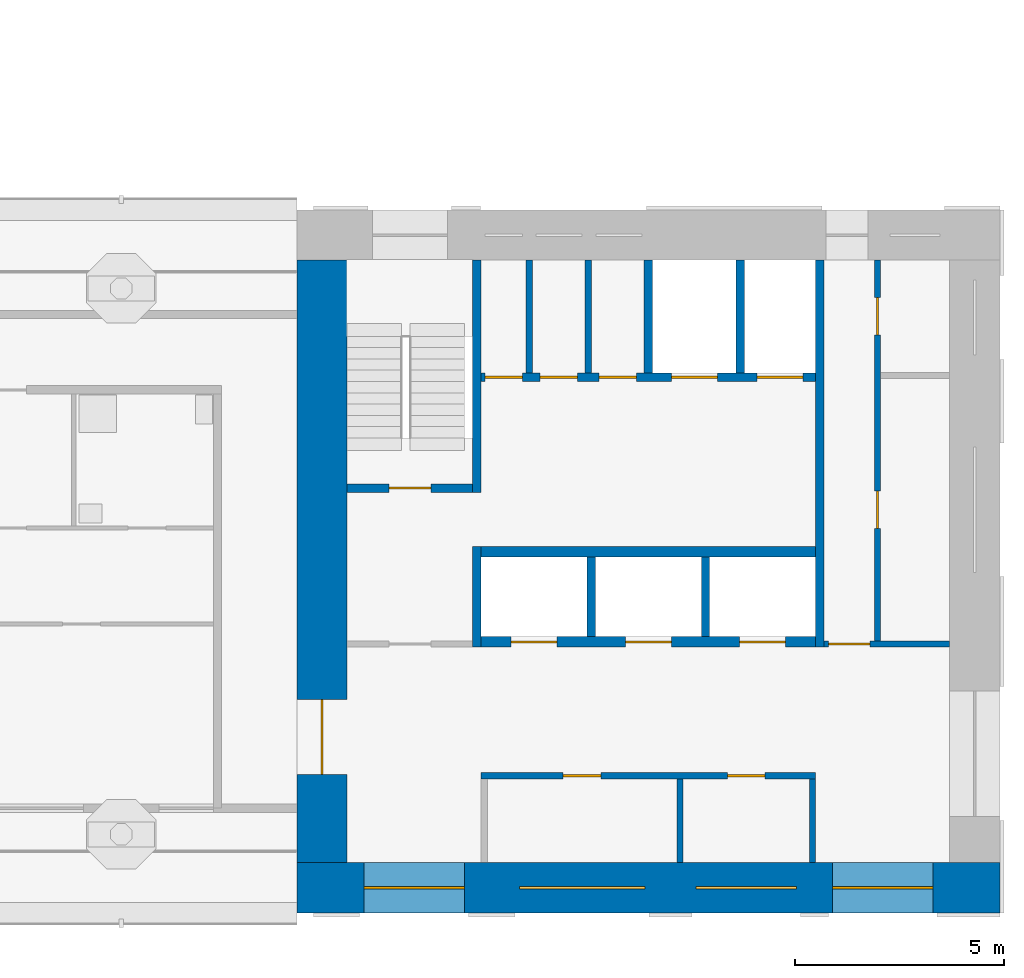
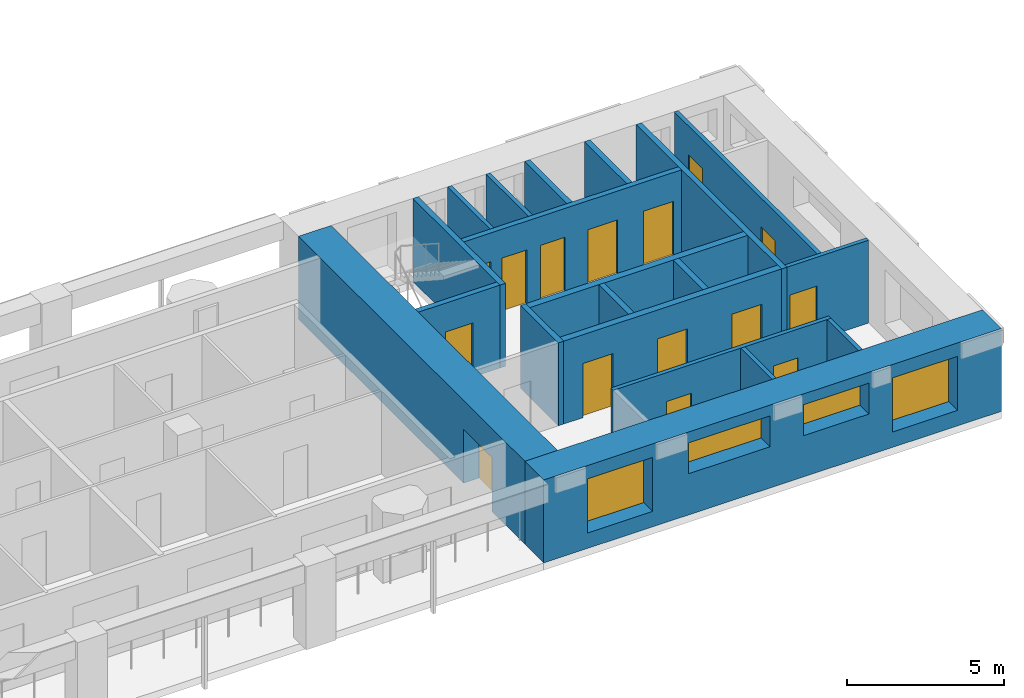
# One storey, part 4 of 12: 20 walls, 15 doors, 4 windows, 19 openings.
"""IFC4 building model written with IfcOpenShell, lengths in metres."""

from ifc_helpers import new_model, si_unit, direction, frame, frame_2d, origin, place, context, subcontext, project, spatial, rectangle, extrude, material, layer, layer_set, type_object, element, fill, save


model = new_model("IFC4")

# Units and contexts
model_context = context("Model", 3, precision=1e-05, world=origin(), true_north=direction((0.0, 1.0)))
body_context = subcontext(model_context, "Body", "Model", "MODEL_VIEW")
ifc_project = project(units=[si_unit("LENGTHUNIT", "METRE"), si_unit("AREAUNIT", "SQUARE_METRE"), si_unit("VOLUMEUNIT", "CUBIC_METRE"), si_unit("PLANEANGLEUNIT", "RADIAN"), si_unit("MASSUNIT", "GRAM", prefix="KILO")], contexts=[model_context])

# Site, building, storey
site_placement = place(None, origin())
site = spatial("IfcSite", under=ifc_project, at=site_placement, CompositionType="ELEMENT")
building_placement = place(site_placement, origin())
building = spatial("IfcBuilding", under=site, at=building_placement, Name="Vermilion Gate Residences", CompositionType="ELEMENT")
storey_placement = place(building_placement, frame((0.0, 0.0, 217.699951171875)))
storey = spatial("IfcBuildingStorey", under=building, at=storey_placement, Name="L56", CompositionType="ELEMENT", Elevation=217.699951171875)

# Walls
ifc_material_1 = material(Name="Masonry blockwork", Category="masonry")
ifc_layer_1 = layer(ifc_material_1, 0.14990234375)
ifc_layer_set_1 = layer_set([ifc_layer_1], Name="BLOCKWORK PARTITION 150 EI 120")
wall_type_1 = type_object("IfcWallType", Name="BLOCKWORK PARTITION 150 EI 120", PredefinedType="PARTITIONING", material=ifc_layer_set_1)
for number, where, z_axis, x_axis, name in (
    (1, (54.324951171875, 9.60009765625, 0.0), (0.0, 0.0, 1.0), (0.0, 1.0, 0.0), "Core room partition A56-RW-E"),
    (2, (51.155029296875, 9.60009765625, 0.0), (0.0, 0.0, 1.0), (0.0, 1.0, 0.0), "Core room partition A56-SR-P0"),
):
    element("IfcWall", number, at=place(storey_placement, frame(where, z_axis=z_axis, x_axis=x_axis)), inside=storey, type_object=wall_type_1, Name=name, PredefinedType="PARTITIONING", context=body_context, shape_type="SweptSolid", body=[
        extrude(rectangle(XDim=2.0, YDim=0.14990234375, at=frame_2d((1.0, 0.0))), origin(), (0.0, 0.0, 1.0), 3.219970703125),
    ])

# Wall, openings, doors
wall_1_placement = place(storey_placement, frame((46.39990234375, 11.675048828125, 0.0), z_axis=(0.0, 0.0, 1.0), x_axis=(1.0, 0.0, 0.0)))
wall_1 = element("IfcWall", 3, at=wall_1_placement, inside=storey, type_object=wall_type_1, Name="Core room partition A56-LR-F", PredefinedType="PARTITIONING", context=body_context, shape_type="SweptSolid", body=[
    extrude(rectangle(XDim=8.0, YDim=0.14990234375, at=frame_2d((4.0, 0.0))), origin(), (0.0, 0.0, 1.0), 3.219970703125),
])
opening_1_placement = place(wall_1_placement, frame((1.965087890625, 0.0, 0.0)))
opening_1 = element("IfcOpeningElement", 4, at=opening_1_placement, cuts=wall_1, Name="Opening DK56002", PredefinedType="OPENING", context=body_context, shape_type="SweptSolid", body=[
    extrude(rectangle(XDim=0.89990234375, YDim=2.10009765625, at=frame_2d((0.449951171875, 1.050048828125))), frame((0.0, 0.0849609375, 0.0), z_axis=(0.0, -1.0, 0.0), x_axis=(1.0, 0.0, 0.0)), (0.0, 0.0, 1.0), 0.169921875),
])
opening_2_placement = place(wall_1_placement, frame((5.889892578125, 0.0, 0.0)))
opening_2 = element("IfcOpeningElement", 5, at=opening_2_placement, cuts=wall_1, Name="Opening DK56003", PredefinedType="OPENING", context=body_context, shape_type="SweptSolid", body=[
    extrude(rectangle(XDim=0.89990234375, YDim=2.10009765625, at=frame_2d((0.449951171875, 1.050048828125))), frame((0.0, 0.0849609375, 0.0), z_axis=(0.0, -1.0, 0.0), x_axis=(1.0, 0.0, 0.0)), (0.0, 0.0, 1.0), 0.169921875),
])
ifc_material_2 = material(Name="Steel", Category="steel")
door_type_1 = type_object("IfcDoorType", Name="SERVICE ROOM DOOR FD60 900 X 2100", OperationType="SINGLE_SWING_LEFT", PredefinedType="DOOR", material=ifc_material_2)
door_1_placement = place(opening_1_placement, frame((0.89990234375, 0.0, 0.0), z_axis=(0.0, 0.0, 1.0), x_axis=(-1.0, 0.0, 0.0)))
door_1 = element("IfcDoor", 6, at=door_1_placement, inside=storey, type_object=door_type_1, Name="Housekeeping store A56", OperationType="SINGLE_SWING_RIGHT", OverallHeight=2.10009765625, OverallWidth=0.89990234375, PredefinedType="DOOR", context=body_context, shape_type="SweptSolid", body=[
    extrude(rectangle(XDim=0.89990234375, YDim=2.10009765625, at=frame_2d((0.449951171875, 1.050048828125))), frame((0.0, 0.02490234375, 0.0), z_axis=(0.0, -1.0, 0.0), x_axis=(1.0, 0.0, 0.0)), (0.0, 0.0, 1.0), 0.050048828125),
])
fill(opening_1, door_1)
door_2_placement = place(opening_2_placement, frame((0.89990234375, 0.0, 0.0), z_axis=(0.0, 0.0, 1.0), x_axis=(-1.0, 0.0, 0.0)))
door_2 = element("IfcDoor", 7, at=door_2_placement, inside=storey, type_object=door_type_1, Name="Fire equipment store A56", OperationType="SINGLE_SWING_RIGHT", OverallHeight=2.10009765625, OverallWidth=0.89990234375, PredefinedType="DOOR", context=body_context, shape_type="SweptSolid", body=[
    extrude(rectangle(XDim=0.89990234375, YDim=2.10009765625, at=frame_2d((0.449951171875, 1.050048828125))), frame((0.0, 0.02490234375, 0.0), z_axis=(0.0, -1.0, 0.0), x_axis=(1.0, 0.0, 0.0)), (0.0, 0.0, 1.0), 0.050048828125),
])
fill(opening_2, door_2)

# Walls
for number, where, z_axis, x_axis, name in (
    (8, (47.554931640625, 21.300048828125, 0.0), (0.0, 0.0, 1.0), (0.0, 1.0, 0.0), "Core room partition A56-NR-P0"),
    (9, (48.965087890625, 21.300048828125, 0.0), (0.0, 0.0, 1.0), (0.0, 1.0, 0.0), "Core room partition A56-NR-P1"),
):
    element("IfcWall", number, at=place(storey_placement, frame(where, z_axis=z_axis, x_axis=x_axis)), inside=storey, type_object=wall_type_1, Name=name, PredefinedType="PARTITIONING", context=body_context, shape_type="SweptSolid", body=[
        extrude(rectangle(XDim=2.699951171875, YDim=0.14990234375, at=frame_2d((1.35009765625, 0.0))), origin(), (0.0, 0.0, 1.0), 3.219970703125),
    ])

# Wall, opening, door
wall_2_placement = place(storey_placement, frame((54.60009765625, 14.824951171875, 0.0), z_axis=(0.0, 0.0, 1.0), x_axis=(1.0, 0.0, 0.0)))
wall_2 = element("IfcWall", 10, at=wall_2_placement, inside=storey, type_object=wall_type_1, Name="Core room partition A56-ES-S", PredefinedType="PARTITIONING", context=body_context, shape_type="SweptSolid", body=[
    extrude(rectangle(XDim=3.0, YDim=0.14990234375, at=frame_2d((1.5, 0.0))), origin(), (0.0, 0.0, 1.0), 3.219970703125),
])
opening_3_placement = place(wall_2_placement, frame((0.10009765625, 0.0, 0.0)))
opening_3 = element("IfcOpeningElement", 11, at=opening_3_placement, cuts=wall_2, Name="Opening DK56014", PredefinedType="OPENING", context=body_context, shape_type="SweptSolid", body=[
    extrude(rectangle(XDim=1.0, YDim=2.10009765625, at=frame_2d((0.5, 1.050048828125))), frame((0.0, 0.0849609375, 0.0), z_axis=(0.0, -1.0, 0.0), x_axis=(1.0, 0.0, 0.0)), (0.0, 0.0, 1.0), 0.169921875),
])
ifc_material_3 = material(Name="Steel", Category="steel")
door_type_2 = type_object("IfcDoorType", Name="FIRE DOOR FD60 1000 X 2100", OperationType="SINGLE_SWING_LEFT", PredefinedType="DOOR", material=ifc_material_3)
door_3_placement = place(opening_3_placement, frame((1.0, 0.0, 0.0), z_axis=(0.0, 0.0, 1.0), x_axis=(-1.0, 0.0, 0.0)))
door_3 = element("IfcDoor", 12, at=door_3_placement, inside=storey, type_object=door_type_2, Name="Service corridor door A56", OperationType="SINGLE_SWING_LEFT", OverallHeight=2.10009765625, OverallWidth=1.0, PredefinedType="DOOR", context=body_context, shape_type="SweptSolid", body=[
    extrude(rectangle(XDim=1.0, YDim=2.10009765625, at=frame_2d((0.5, 1.050048828125))), frame((0.0, 0.02490234375, 0.0), z_axis=(0.0, -1.0, 0.0), x_axis=(1.0, 0.0, 0.0)), (0.0, 0.0, 1.0), 0.050048828125),
])
fill(opening_3, door_3)

# Wall, openings, doors
wall_3_placement = place(storey_placement, frame((55.875, 14.89990234375, 0.0), z_axis=(0.0, 0.0, 1.0), x_axis=(0.0, 1.0, 0.0)))
wall_3 = element("IfcWall", 13, at=wall_3_placement, inside=storey, type_object=wall_type_1, Name="Core room partition A56-ES-W", PredefinedType="PARTITIONING", context=body_context, shape_type="SweptSolid", body=[
    extrude(rectangle(XDim=9.10009765625, YDim=0.14990234375, at=frame_2d((4.550048828125, 0.0))), origin(), (0.0, 0.0, 1.0), 3.219970703125),
])
opening_4_placement = place(wall_3_placement, frame((2.6826171875, 0.0, 0.0)))
opening_4 = element("IfcOpeningElement", 14, at=opening_4_placement, cuts=wall_3, Name="Opening DK56015", PredefinedType="OPENING", context=body_context, shape_type="SweptSolid", body=[
    extrude(rectangle(XDim=0.89990234375, YDim=2.10009765625, at=frame_2d((0.449951171875, 1.050048828125))), frame((0.0, 0.0849609375, 0.0), z_axis=(0.0, -1.0, 0.0), x_axis=(1.0, 0.0, 0.0)), (0.0, 0.0, 1.0), 0.169921875),
])
opening_5_placement = place(wall_3_placement, frame((7.3076171875, 0.0, 0.0)))
opening_5 = element("IfcOpeningElement", 15, at=opening_5_placement, cuts=wall_3, Name="Opening DK56016", PredefinedType="OPENING", context=body_context, shape_type="SweptSolid", body=[
    extrude(rectangle(XDim=0.89990234375, YDim=2.10009765625, at=frame_2d((0.449951171875, 1.050048828125))), frame((0.0, 0.0849609375, 0.0), z_axis=(0.0, -1.0, 0.0), x_axis=(1.0, 0.0, 0.0)), (0.0, 0.0, 1.0), 0.169921875),
])
door_4_placement = place(opening_4_placement, frame((0.89990234375, 0.0, 0.0), z_axis=(0.0, 0.0, 1.0), x_axis=(-1.0, 0.0, 0.0)))
door_4 = element("IfcDoor", 16, at=door_4_placement, inside=storey, type_object=door_type_1, Name="Electrical room A56", OperationType="SINGLE_SWING_LEFT", OverallHeight=2.10009765625, OverallWidth=0.89990234375, PredefinedType="DOOR", context=body_context, shape_type="SweptSolid", body=[
    extrude(rectangle(XDim=0.89990234375, YDim=2.10009765625, at=frame_2d((0.449951171875, 1.050048828125))), frame((0.0, 0.02490234375, 0.0), z_axis=(0.0, -1.0, 0.0), x_axis=(1.0, 0.0, 0.0)), (0.0, 0.0, 1.0), 0.050048828125),
])
fill(opening_4, door_4)
door_5_placement = place(opening_5_placement, frame((0.89990234375, 0.0, 0.0), z_axis=(0.0, 0.0, 1.0), x_axis=(-1.0, 0.0, 0.0)))
door_5 = element("IfcDoor", 17, at=door_5_placement, inside=storey, type_object=door_type_1, Name="Storage room A56", OperationType="SINGLE_SWING_LEFT", OverallHeight=2.10009765625, OverallWidth=0.89990234375, PredefinedType="DOOR", context=body_context, shape_type="SweptSolid", body=[
    extrude(rectangle(XDim=0.89990234375, YDim=2.10009765625, at=frame_2d((0.449951171875, 1.050048828125))), frame((0.0, 0.02490234375, 0.0), z_axis=(0.0, -1.0, 0.0), x_axis=(1.0, 0.0, 0.0)), (0.0, 0.0, 1.0), 0.050048828125),
])
fill(opening_5, door_5)

# Walls
ifc_material_4 = material(Name="Concrete C60", Category="concrete")
ifc_layer_2 = layer(ifc_material_4, 0.199951171875)
ifc_layer_set_2 = layer_set([ifc_layer_2], Name="RC CORE INTERNAL WALL 200 C60")
wall_type_2 = type_object("IfcWallType", Name="RC CORE INTERNAL WALL 200 C60", PredefinedType="SHEAR", material=ifc_layer_set_2)
for number, where, z_axis, x_axis, name in (
    (18, (49.033447265625, 15.0, 0.0), (0.0, 0.0, 1.0), (0.0, 1.0, 0.0), "Core internal wall A56-HR-D1"),
    (19, (51.7666015625, 15.0, 0.0), (0.0, 0.0, 1.0), (0.0, 1.0, 0.0), "Core internal wall A56-HR-D2"),
):
    element("IfcWall", number, at=place(storey_placement, frame(where, z_axis=z_axis, x_axis=x_axis)), inside=storey, type_object=wall_type_2, Name=name, PredefinedType="SHEAR", context=body_context, shape_type="SweptSolid", body=[
        extrude(rectangle(XDim=1.89990234375, YDim=0.199951171875, at=frame_2d((0.949951171875, 0.0))), origin(), (0.0, 0.0, 1.0), 3.219970703125),
    ])
for number, where, z_axis, x_axis, name in (
    (20, (50.39990234375, 21.300048828125, 0.0), (0.0, 0.0, 1.0), (0.0, 1.0, 0.0), "Core internal wall A56-FF-D0"),
    (21, (52.60009765625, 21.300048828125, 0.0), (0.0, 0.0, 1.0), (0.0, 1.0, 0.0), "Core internal wall A56-FF-D1"),
):
    element("IfcWall", number, at=place(storey_placement, frame(where, z_axis=z_axis, x_axis=x_axis)), inside=storey, type_object=wall_type_2, Name=name, PredefinedType="SHEAR", context=body_context, shape_type="SweptSolid", body=[
        extrude(rectangle(XDim=2.699951171875, YDim=0.199951171875, at=frame_2d((1.35009765625, 0.0))), origin(), (0.0, 0.0, 1.0), 3.219970703125),
    ])

# Wall, openings, doors
wall_4_placement = place(storey_placement, frame((46.39990234375, 21.199951171875, 0.0), z_axis=(0.0, 0.0, 1.0), x_axis=(1.0, 0.0, 0.0)))
wall_4 = element("IfcWall", 22, at=wall_4_placement, inside=storey, type_object=wall_type_2, Name="Core internal wall A56-FF-F", PredefinedType="SHEAR", context=body_context, shape_type="SweptSolid", body=[
    extrude(rectangle(XDim=8.0, YDim=0.199951171875, at=frame_2d((4.0, 0.0))), origin(), (0.0, 0.0, 1.0), 3.219970703125),
])
opening_6_placement = place(wall_4_placement, frame((0.090087890625, 0.0, 0.0)))
opening_6 = element("IfcOpeningElement", 23, at=opening_6_placement, cuts=wall_4, Name="Opening DK56007", PredefinedType="OPENING", context=body_context, shape_type="SweptSolid", body=[
    extrude(rectangle(XDim=0.89990234375, YDim=2.10009765625, at=frame_2d((0.449951171875, 1.050048828125))), frame((0.0, 0.10986328125, 0.0), z_axis=(0.0, -1.0, 0.0), x_axis=(1.0, 0.0, 0.0)), (0.0, 0.0, 1.0), 0.219970703125),
])
opening_7_placement = place(wall_4_placement, frame((1.409912109375, 0.0, 0.0)))
opening_7 = element("IfcOpeningElement", 24, at=opening_7_placement, cuts=wall_4, Name="Opening DK56008", PredefinedType="OPENING", context=body_context, shape_type="SweptSolid", body=[
    extrude(rectangle(XDim=0.89990234375, YDim=2.10009765625, at=frame_2d((0.449951171875, 1.050048828125))), frame((0.0, 0.10986328125, 0.0), z_axis=(0.0, -1.0, 0.0), x_axis=(1.0, 0.0, 0.0)), (0.0, 0.0, 1.0), 0.219970703125),
])
opening_8_placement = place(wall_4_placement, frame((2.820068359375, 0.0, 0.0)))
opening_8 = element("IfcOpeningElement", 25, at=opening_8_placement, cuts=wall_4, Name="Opening DK56009", PredefinedType="OPENING", context=body_context, shape_type="SweptSolid", body=[
    extrude(rectangle(XDim=0.89990234375, YDim=2.10009765625, at=frame_2d((0.449951171875, 1.050048828125))), frame((0.0, 0.10986328125, 0.0), z_axis=(0.0, -1.0, 0.0), x_axis=(1.0, 0.0, 0.0)), (0.0, 0.0, 1.0), 0.219970703125),
])
opening_9_placement = place(wall_4_placement, frame((4.550048828125, 0.0, 0.0)))
opening_9 = element("IfcOpeningElement", 26, at=opening_9_placement, cuts=wall_4, Name="Opening LD", PredefinedType="OPENING", context=body_context, shape_type="SweptSolid", body=[
    extrude(rectangle(XDim=1.10009765625, YDim=2.10009765625, at=frame_2d((0.550048828125, 1.050048828125))), frame((0.0, 0.10986328125, 0.0), z_axis=(0.0, -1.0, 0.0), x_axis=(1.0, 0.0, 0.0)), (0.0, 0.0, 1.0), 0.219970703125),
])
opening_10_placement = place(wall_4_placement, frame((6.60009765625, 0.0, 0.0)))
opening_10 = element("IfcOpeningElement", 27, at=opening_10_placement, cuts=wall_4, Name="Opening LD", PredefinedType="OPENING", context=body_context, shape_type="SweptSolid", body=[
    extrude(rectangle(XDim=1.10009765625, YDim=2.10009765625, at=frame_2d((0.550048828125, 1.050048828125))), frame((0.0, 0.10986328125, 0.0), z_axis=(0.0, -1.0, 0.0), x_axis=(1.0, 0.0, 0.0)), (0.0, 0.0, 1.0), 0.219970703125),
])
ifc_material_5 = material(Name="Stainless steel", Category="steel")
door_type_3 = type_object("IfcDoorType", Name="LIFT LANDING DOOR E60 1100 X 2100", OperationType="DOUBLE_DOOR_SLIDING", PredefinedType="DOOR", material=ifc_material_5)
door_6_placement = place(opening_9_placement, origin())
door_6 = element("IfcDoor", 28, at=door_6_placement, inside=storey, type_object=door_type_3, Name="Lift landing door LFA1", OperationType="DOUBLE_DOOR_SLIDING", OverallHeight=2.10009765625, OverallWidth=1.10009765625, PredefinedType="DOOR", context=body_context, shape_type="SweptSolid", body=[
    extrude(rectangle(XDim=1.10009765625, YDim=2.10009765625, at=frame_2d((0.550048828125, 1.050048828125))), frame((0.0, 0.02490234375, 0.0), z_axis=(0.0, -1.0, 0.0), x_axis=(1.0, 0.0, 0.0)), (0.0, 0.0, 1.0), 0.050048828125),
])
fill(opening_9, door_6)
door_7_placement = place(opening_10_placement, origin())
door_7 = element("IfcDoor", 29, at=door_7_placement, inside=storey, type_object=door_type_3, Name="Lift landing door LCA1", OperationType="DOUBLE_DOOR_SLIDING", OverallHeight=2.10009765625, OverallWidth=1.10009765625, PredefinedType="DOOR", context=body_context, shape_type="SweptSolid", body=[
    extrude(rectangle(XDim=1.10009765625, YDim=2.10009765625, at=frame_2d((0.550048828125, 1.050048828125))), frame((0.0, 0.02490234375, 0.0), z_axis=(0.0, -1.0, 0.0), x_axis=(1.0, 0.0, 0.0)), (0.0, 0.0, 1.0), 0.050048828125),
])
fill(opening_10, door_7)
door_8_placement = place(opening_6_placement, origin())
door_8 = element("IfcDoor", 30, at=door_8_placement, inside=storey, type_object=door_type_1, Name="Parcel room A56", OperationType="SINGLE_SWING_RIGHT", OverallHeight=2.10009765625, OverallWidth=0.89990234375, PredefinedType="DOOR", context=body_context, shape_type="SweptSolid", body=[
    extrude(rectangle(XDim=0.89990234375, YDim=2.10009765625, at=frame_2d((0.449951171875, 1.050048828125))), frame((0.0, 0.02490234375, 0.0), z_axis=(0.0, -1.0, 0.0), x_axis=(1.0, 0.0, 0.0)), (0.0, 0.0, 1.0), 0.050048828125),
])
fill(opening_6, door_8)
door_9_placement = place(opening_7_placement, frame((0.89990234375, 0.0, 0.0), z_axis=(0.0, 0.0, 1.0), x_axis=(-1.0, 0.0, 0.0)))
door_9 = element("IfcDoor", 31, at=door_9_placement, inside=storey, type_object=door_type_1, Name="Electrical room A56", OperationType="SINGLE_SWING_RIGHT", OverallHeight=2.10009765625, OverallWidth=0.89990234375, PredefinedType="DOOR", context=body_context, shape_type="SweptSolid", body=[
    extrude(rectangle(XDim=0.89990234375, YDim=2.10009765625, at=frame_2d((0.449951171875, 1.050048828125))), frame((0.0, 0.02490234375, 0.0), z_axis=(0.0, -1.0, 0.0), x_axis=(1.0, 0.0, 0.0)), (0.0, 0.0, 1.0), 0.050048828125),
])
fill(opening_7, door_9)
door_10_placement = place(opening_8_placement, origin())
door_10 = element("IfcDoor", 32, at=door_10_placement, inside=storey, type_object=door_type_1, Name="Housekeeping store A56", OperationType="SINGLE_SWING_LEFT", OverallHeight=2.10009765625, OverallWidth=0.89990234375, PredefinedType="DOOR", context=body_context, shape_type="SweptSolid", body=[
    extrude(rectangle(XDim=0.89990234375, YDim=2.10009765625, at=frame_2d((0.449951171875, 1.050048828125))), frame((0.0, 0.02490234375, 0.0), z_axis=(0.0, -1.0, 0.0), x_axis=(1.0, 0.0, 0.0)), (0.0, 0.0, 1.0), 0.050048828125),
])
fill(opening_8, door_10)

# Walls
wall_5_placement = place(storey_placement, frame((46.300048828125, 14.75, 0.0), z_axis=(0.0, 0.0, 1.0), x_axis=(0.0, 1.0, 0.0)))
element("IfcWall", 33, at=wall_5_placement, inside=storey, type_object=wall_type_2, Name="Core internal wall A56-WDIV1", PredefinedType="SHEAR", context=body_context, shape_type="SweptSolid", body=[
    extrude(rectangle(XDim=2.39990234375, YDim=0.199951171875, at=frame_2d((1.199951171875, 0.0))), origin(), (0.0, 0.0, 1.0), 3.219970703125),
])
wall_6_placement = place(storey_placement, frame((46.300048828125, 18.449951171875, 0.0), z_axis=(0.0, 0.0, 1.0), x_axis=(0.0, 1.0, 0.0)))
element("IfcWall", 34, at=wall_6_placement, inside=storey, type_object=wall_type_2, Name="Core internal wall A56-WDIV2", PredefinedType="SHEAR", context=body_context, shape_type="SweptSolid", body=[
    extrude(rectangle(XDim=5.550048828125, YDim=0.199951171875, at=frame_2d((2.77490234375, 0.0))), origin(), (0.0, 0.0, 1.0), 3.219970703125),
])

# Wall, opening, door
wall_7_placement = place(storey_placement, frame((43.199951171875, 18.550048828125, 0.0), z_axis=(0.0, 0.0, 1.0), x_axis=(1.0, 0.0, 0.0)))
wall_7 = element("IfcWall", 35, at=wall_7_placement, inside=storey, type_object=wall_type_2, Name="Core internal wall A56-STW-S", PredefinedType="SHEAR", context=body_context, shape_type="SweptSolid", body=[
    extrude(rectangle(XDim=3.0, YDim=0.199951171875, at=frame_2d((1.5, 0.0))), origin(), (0.0, 0.0, 1.0), 3.219970703125),
])
opening_11_placement = place(wall_7_placement, frame((1.0, 0.0, 0.0)))
opening_11 = element("IfcOpeningElement", 36, at=opening_11_placement, cuts=wall_7, Name="Opening DK56013", PredefinedType="OPENING", context=body_context, shape_type="SweptSolid", body=[
    extrude(rectangle(XDim=1.0, YDim=2.10009765625, at=frame_2d((0.5, 1.050048828125))), frame((0.0, 0.10986328125, 0.0), z_axis=(0.0, -1.0, 0.0), x_axis=(1.0, 0.0, 0.0)), (0.0, 0.0, 1.0), 0.219970703125),
])
door_11_placement = place(opening_11_placement, origin())
door_11 = element("IfcDoor", 37, at=door_11_placement, inside=storey, type_object=door_type_2, Name="Stair door A56", OperationType="SINGLE_SWING_LEFT", OverallHeight=2.10009765625, OverallWidth=1.0, PredefinedType="DOOR", context=body_context, shape_type="SweptSolid", body=[
    extrude(rectangle(XDim=1.0, YDim=2.10009765625, at=frame_2d((0.5, 1.050048828125))), frame((0.0, 0.02490234375, 0.0), z_axis=(0.0, -1.0, 0.0), x_axis=(1.0, 0.0, 0.0)), (0.0, 0.0, 1.0), 0.050048828125),
])
fill(opening_11, door_11)

# Wall
wall_8_placement = place(storey_placement, frame((54.5, 14.75, 0.0), z_axis=(0.0, 0.0, 1.0), x_axis=(0.0, 1.0, 0.0)))
element("IfcWall", 38, at=wall_8_placement, inside=storey, type_object=wall_type_2, Name="Core internal wall A56-EDIV", PredefinedType="SHEAR", context=body_context, shape_type="SweptSolid", body=[
    extrude(rectangle(XDim=9.25, YDim=0.199951171875, at=frame_2d((4.625, 0.0))), origin(), (0.0, 0.0, 1.0), 3.219970703125),
])

# Wall, opening, door
ifc_material_6 = material(Name="Concrete C50", Category="concrete")
ifc_layer_3 = layer(ifc_material_6, 1.199951171875)
ifc_layer_set_3 = layer_set([ifc_layer_3], Name="RC CORE WALL 1200 C50")
wall_type_3 = type_object("IfcWallType", Name="RC CORE WALL 1200 C50", PredefinedType="SHEAR", material=ifc_layer_set_3)
wall_9_placement = place(storey_placement, frame((42.60009765625, 9.60009765625, 0.0), z_axis=(0.0, 0.0, 1.0), x_axis=(0.0, 1.0, 0.0)))
wall_9 = element("IfcWall", 39, at=wall_9_placement, inside=storey, type_object=wall_type_3, Name="Core wall A56-OUT-FR", PredefinedType="SHEAR", context=body_context, shape_type="SweptSolid", body=[
    extrude(rectangle(XDim=14.39990234375, YDim=1.199951171875, at=frame_2d((7.199951171875, 0.0))), origin(), (0.0, 0.0, 1.0), 3.219970703125),
])
opening_12_placement = place(wall_9_placement, frame((2.10009765625, 0.0, 0.0)))
opening_12 = element("IfcOpeningElement", 40, at=opening_12_placement, cuts=wall_9, Name="Opening DK56001", PredefinedType="OPENING", context=body_context, shape_type="SweptSolid", body=[
    extrude(rectangle(XDim=1.800048828125, YDim=2.10009765625, at=frame_2d((0.89990234375, 1.050048828125))), frame((0.0, 0.60986328125, 0.0), z_axis=(0.0, -1.0, 0.0), x_axis=(1.0, 0.0, 0.0)), (0.0, 0.0, 1.0), 1.219970703125),
])
ifc_material_7 = material(Name="Steel", Category="steel")
door_type_4 = type_object("IfcDoorType", Name="CORE LOBBY DOOR FD60 1800 X 2100", OperationType="DOUBLE_DOOR_SINGLE_SWING", PredefinedType="DOOR", material=ifc_material_7)
door_12_placement = place(opening_12_placement, frame((1.800048828125, 0.0, 0.0), z_axis=(0.0, 0.0, 1.0), x_axis=(-1.0, 0.0, 0.0)))
door_12 = element("IfcDoor", 41, at=door_12_placement, inside=storey, type_object=door_type_4, Name="Core lobby door A56", OperationType="DOUBLE_DOOR_SINGLE_SWING", OverallHeight=2.10009765625, OverallWidth=1.800048828125, PredefinedType="DOOR", context=body_context, shape_type="SweptSolid", body=[
    extrude(rectangle(XDim=1.800048828125, YDim=2.10009765625, at=frame_2d((0.89990234375, 1.050048828125))), frame((0.0, 0.02490234375, 0.0), z_axis=(0.0, -1.0, 0.0), x_axis=(1.0, 0.0, 0.0)), (0.0, 0.0, 1.0), 0.050048828125),
])
fill(opening_12, door_12)

# Wall, openings, windows
ifc_material_8 = material(Name="Concrete C50 red-oxide pigmented", Category="concrete")
ifc_layer_4 = layer(ifc_material_8, 1.199951171875)
ifc_layer_set_4 = layer_set([ifc_layer_4], Name="RC CORE WALL 1200 C50 RED OXIDE")
wall_type_4 = type_object("IfcWallType", Name="RC CORE WALL 1200 C50 RED OXIDE", PredefinedType="SHEAR", material=ifc_layer_set_4)
wall_10_placement = place(storey_placement, frame((42.0, 9.0, 0.0), z_axis=(0.0, 0.0, 1.0), x_axis=(1.0, 0.0, 0.0)))
wall_10 = element("IfcWall", 42, at=wall_10_placement, inside=storey, type_object=wall_type_4, Name="Core wall A56-OUT-B0", PredefinedType="SHEAR", context=body_context, shape_type="SweptSolid", body=[
    extrude(rectangle(XDim=16.800048828125, YDim=1.199951171875, at=frame_2d((8.39990234375, 0.0))), origin(), (0.0, 0.0, 1.0), 3.219970703125),
])
opening_13_placement = place(wall_10_placement, frame((1.60009765625, 0.0, 0.60009765625)))
opening_13 = element("IfcOpeningElement", 43, at=opening_13_placement, cuts=wall_10, Name="Opening WKA5601", PredefinedType="OPENING", context=body_context, shape_type="SweptSolid", body=[
    extrude(rectangle(XDim=2.39990234375, YDim=2.10009765625, at=frame_2d((1.199951171875, 1.050048828125))), frame((0.0, 0.60986328125, 0.0), z_axis=(0.0, -1.0, 0.0), x_axis=(1.0, 0.0, 0.0)), (0.0, 0.0, 1.0), 1.219970703125),
])
opening_14_placement = place(wall_10_placement, frame((5.31494140625, 0.0, 1.60009765625)))
opening_14 = element("IfcOpeningElement", 44, at=opening_14_placement, cuts=wall_10, Name="Opening WKA5602", PredefinedType="OPENING", context=body_context, shape_type="SweptSolid", body=[
    extrude(rectangle(XDim=3.0, YDim=1.199951171875, at=frame_2d((1.5, 0.60009765625))), frame((0.0, 0.60986328125, 0.0), z_axis=(0.0, -1.0, 0.0), x_axis=(1.0, 0.0, 0.0)), (0.0, 0.0, 1.0), 1.219970703125),
])
opening_15_placement = place(wall_10_placement, frame((9.5400390625, 0.0, 1.60009765625)))
opening_15 = element("IfcOpeningElement", 45, at=opening_15_placement, cuts=wall_10, Name="Opening WKA5603", PredefinedType="OPENING", context=body_context, shape_type="SweptSolid", body=[
    extrude(rectangle(XDim=2.39990234375, YDim=1.199951171875, at=frame_2d((1.199951171875, 0.60009765625))), frame((0.0, 0.60986328125, 0.0), z_axis=(0.0, -1.0, 0.0), x_axis=(1.0, 0.0, 0.0)), (0.0, 0.0, 1.0), 1.219970703125),
])
opening_16_placement = place(wall_10_placement, frame((12.800048828125, 0.0, 0.60009765625)))
opening_16 = element("IfcOpeningElement", 46, at=opening_16_placement, cuts=wall_10, Name="Opening WKA5604", PredefinedType="OPENING", context=body_context, shape_type="SweptSolid", body=[
    extrude(rectangle(XDim=2.39990234375, YDim=2.10009765625, at=frame_2d((1.199951171875, 1.050048828125))), frame((0.0, 0.60986328125, 0.0), z_axis=(0.0, -1.0, 0.0), x_axis=(1.0, 0.0, 0.0)), (0.0, 0.0, 1.0), 1.219970703125),
])
ifc_material_9 = material(Name="Aluminium and clear glass", Category="aluminium")
window_type_1 = type_object("IfcWindowType", Name="CORE LOBBY WINDOW 2400 X 2100", PartitioningType="SINGLE_PANEL", PredefinedType="WINDOW", material=ifc_material_9)
window_1_placement = place(opening_13_placement, origin())
window_1 = element("IfcWindow", 47, at=window_1_placement, inside=storey, type_object=window_type_1, Name="Core lobby window", OverallHeight=2.10009765625, OverallWidth=2.39990234375, PartitioningType="SINGLE_PANEL", PredefinedType="WINDOW", context=body_context, shape_type="SweptSolid", body=[
    extrude(rectangle(XDim=2.39990234375, YDim=2.10009765625, at=frame_2d((1.199951171875, 1.050048828125))), frame((0.0, 0.030029296875, 0.0), z_axis=(0.0, -1.0, 0.0), x_axis=(1.0, 0.0, 0.0)), (0.0, 0.0, 1.0), 0.06005859375),
])
fill(opening_13, window_1)
window_2_placement = place(opening_16_placement, origin())
window_2 = element("IfcWindow", 48, at=window_2_placement, inside=storey, type_object=window_type_1, Name="Core lobby window", OverallHeight=2.10009765625, OverallWidth=2.39990234375, PartitioningType="SINGLE_PANEL", PredefinedType="WINDOW", context=body_context, shape_type="SweptSolid", body=[
    extrude(rectangle(XDim=2.39990234375, YDim=2.10009765625, at=frame_2d((1.199951171875, 1.050048828125))), frame((0.0, 0.030029296875, 0.0), z_axis=(0.0, -1.0, 0.0), x_axis=(1.0, 0.0, 0.0)), (0.0, 0.0, 1.0), 0.06005859375),
])
fill(opening_16, window_2)
ifc_material_10 = material(Name="Aluminium frame with louvre blades", Category="aluminium")
window_type_2 = type_object("IfcWindowType", Name="CORE LOUVRE 2400 X 1200", PartitioningType="SINGLE_PANEL", PredefinedType="WINDOW", material=ifc_material_10)
window_3_placement = place(opening_15_placement, origin())
window_3 = element("IfcWindow", 49, at=window_3_placement, inside=storey, type_object=window_type_2, Name="Core louvre", OverallHeight=1.199951171875, OverallWidth=2.39990234375, PartitioningType="SINGLE_PANEL", PredefinedType="WINDOW", context=body_context, shape_type="SweptSolid", body=[
    extrude(rectangle(XDim=2.39990234375, YDim=1.199951171875, at=frame_2d((1.199951171875, 0.60009765625))), frame((0.0, 0.030029296875, 0.0), z_axis=(0.0, -1.0, 0.0), x_axis=(1.0, 0.0, 0.0)), (0.0, 0.0, 1.0), 0.06005859375),
])
fill(opening_15, window_3)
ifc_material_11 = material(Name="Aluminium frame with louvre blades", Category="aluminium")
window_type_3 = type_object("IfcWindowType", Name="CORE LOUVRE 3000 X 1200", PartitioningType="SINGLE_PANEL", PredefinedType="WINDOW", material=ifc_material_11)
window_4_placement = place(opening_14_placement, origin())
window_4 = element("IfcWindow", 50, at=window_4_placement, inside=storey, type_object=window_type_3, Name="Core louvre", OverallHeight=1.199951171875, OverallWidth=3.0, PartitioningType="SINGLE_PANEL", PredefinedType="WINDOW", context=body_context, shape_type="SweptSolid", body=[
    extrude(rectangle(XDim=3.0, YDim=1.199951171875, at=frame_2d((1.5, 0.60009765625))), frame((0.0, 0.030029296875, 0.0), z_axis=(0.0, -1.0, 0.0), x_axis=(1.0, 0.0, 0.0)), (0.0, 0.0, 1.0), 0.06005859375),
])
fill(opening_14, window_4)

# Wall, openings, doors
ifc_material_12 = material(Name="Concrete C60", Category="concrete")
ifc_layer_5 = layer(ifc_material_12, 0.25)
ifc_layer_set_5 = layer_set([ifc_layer_5], Name="RC LIFT SHAFT WALL 250 C60")
wall_type_5 = type_object("IfcWallType", Name="RC LIFT SHAFT WALL 250 C60", PredefinedType="SHEAR", material=ifc_layer_set_5)
wall_11_placement = place(storey_placement, frame((46.39990234375, 14.875, 0.0), z_axis=(0.0, 0.0, 1.0), x_axis=(1.0, 0.0, 0.0)))
wall_11 = element("IfcWall", 51, at=wall_11_placement, inside=storey, type_object=wall_type_5, Name="Lift shaft wall A56-HR-F", PredefinedType="SHEAR", context=body_context, shape_type="SweptSolid", body=[
    extrude(rectangle(XDim=8.0, YDim=0.25, at=frame_2d((4.0, 0.0))), origin(), (0.0, 0.0, 1.0), 3.219970703125),
])
opening_17_placement = place(wall_11_placement, frame((0.716552734375, 0.0, 0.0)))
opening_17 = element("IfcOpeningElement", 52, at=opening_17_placement, cuts=wall_11, Name="Opening LD", PredefinedType="OPENING", context=body_context, shape_type="SweptSolid", body=[
    extrude(rectangle(XDim=1.10009765625, YDim=2.10009765625, at=frame_2d((0.550048828125, 1.050048828125))), frame((0.0, 0.135009765625, 0.0), z_axis=(0.0, -1.0, 0.0), x_axis=(1.0, 0.0, 0.0)), (0.0, 0.0, 1.0), 0.27001953125),
])
opening_18_placement = place(wall_11_placement, frame((3.449951171875, 0.0, 0.0)))
opening_18 = element("IfcOpeningElement", 53, at=opening_18_placement, cuts=wall_11, Name="Opening LD", PredefinedType="OPENING", context=body_context, shape_type="SweptSolid", body=[
    extrude(rectangle(XDim=1.10009765625, YDim=2.10009765625, at=frame_2d((0.550048828125, 1.050048828125))), frame((0.0, 0.135009765625, 0.0), z_axis=(0.0, -1.0, 0.0), x_axis=(1.0, 0.0, 0.0)), (0.0, 0.0, 1.0), 0.27001953125),
])
opening_19_placement = place(wall_11_placement, frame((6.183349609375, 0.0, 0.0)))
opening_19 = element("IfcOpeningElement", 54, at=opening_19_placement, cuts=wall_11, Name="Opening LD", PredefinedType="OPENING", context=body_context, shape_type="SweptSolid", body=[
    extrude(rectangle(XDim=1.10009765625, YDim=2.10009765625, at=frame_2d((0.550048828125, 1.050048828125))), frame((0.0, 0.135009765625, 0.0), z_axis=(0.0, -1.0, 0.0), x_axis=(1.0, 0.0, 0.0)), (0.0, 0.0, 1.0), 0.27001953125),
])
door_13_placement = place(opening_17_placement, origin())
door_13 = element("IfcDoor", 55, at=door_13_placement, inside=storey, type_object=door_type_3, Name="Lift landing door HRA1", OperationType="DOUBLE_DOOR_SLIDING", OverallHeight=2.10009765625, OverallWidth=1.10009765625, PredefinedType="DOOR", context=body_context, shape_type="SweptSolid", body=[
    extrude(rectangle(XDim=1.10009765625, YDim=2.10009765625, at=frame_2d((0.550048828125, 1.050048828125))), frame((0.0, 0.02490234375, 0.0), z_axis=(0.0, -1.0, 0.0), x_axis=(1.0, 0.0, 0.0)), (0.0, 0.0, 1.0), 0.050048828125),
])
fill(opening_17, door_13)
door_14_placement = place(opening_18_placement, origin())
door_14 = element("IfcDoor", 56, at=door_14_placement, inside=storey, type_object=door_type_3, Name="Lift landing door HRA2", OperationType="DOUBLE_DOOR_SLIDING", OverallHeight=2.10009765625, OverallWidth=1.10009765625, PredefinedType="DOOR", context=body_context, shape_type="SweptSolid", body=[
    extrude(rectangle(XDim=1.10009765625, YDim=2.10009765625, at=frame_2d((0.550048828125, 1.050048828125))), frame((0.0, 0.02490234375, 0.0), z_axis=(0.0, -1.0, 0.0), x_axis=(1.0, 0.0, 0.0)), (0.0, 0.0, 1.0), 0.050048828125),
])
fill(opening_18, door_14)
door_15_placement = place(opening_19_placement, origin())
door_15 = element("IfcDoor", 57, at=door_15_placement, inside=storey, type_object=door_type_3, Name="Lift landing door HRA3", OperationType="DOUBLE_DOOR_SLIDING", OverallHeight=2.10009765625, OverallWidth=1.10009765625, PredefinedType="DOOR", context=body_context, shape_type="SweptSolid", body=[
    extrude(rectangle(XDim=1.10009765625, YDim=2.10009765625, at=frame_2d((0.550048828125, 1.050048828125))), frame((0.0, 0.02490234375, 0.0), z_axis=(0.0, -1.0, 0.0), x_axis=(1.0, 0.0, 0.0)), (0.0, 0.0, 1.0), 0.050048828125),
])
fill(opening_19, door_15)

# Wall
wall_12_placement = place(storey_placement, frame((46.39990234375, 17.02490234375, 0.0), z_axis=(0.0, 0.0, 1.0), x_axis=(1.0, 0.0, 0.0)))
element("IfcWall", 58, at=wall_12_placement, inside=storey, type_object=wall_type_5, Name="Lift shaft wall A56-HR-B", PredefinedType="SHEAR", context=body_context, shape_type="SweptSolid", body=[
    extrude(rectangle(XDim=8.0, YDim=0.25, at=frame_2d((4.0, 0.0))), origin(), (0.0, 0.0, 1.0), 3.219970703125),
])

save(model, "model.ifc")
